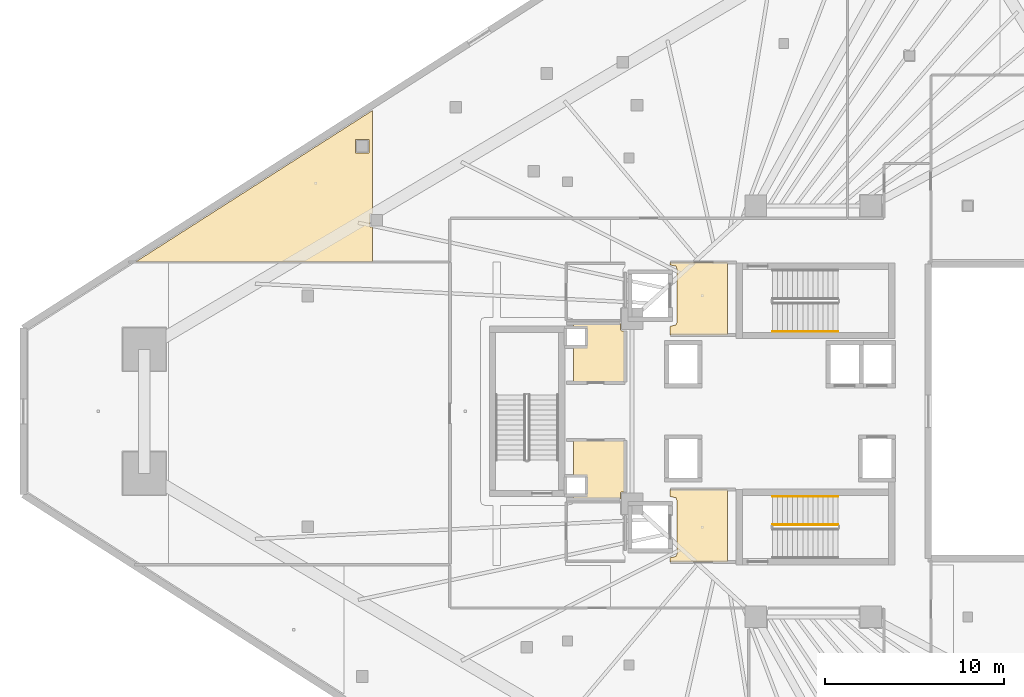
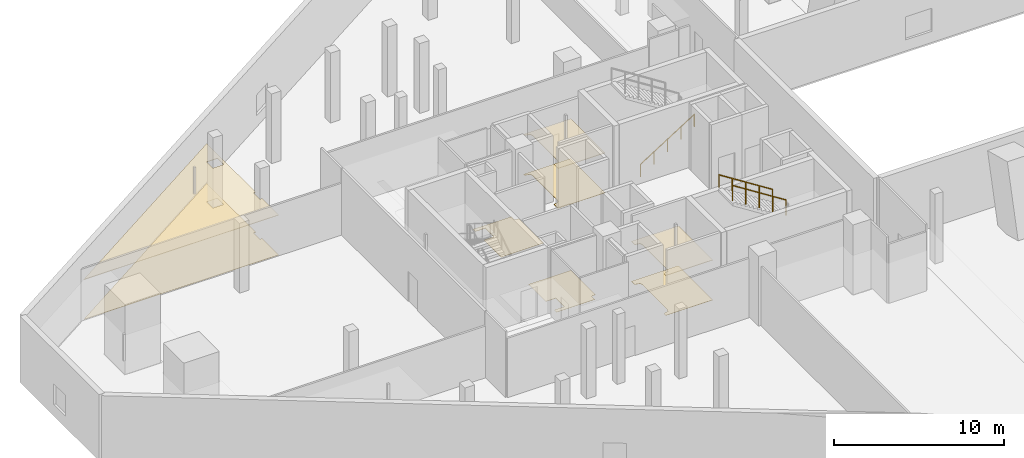
# One storey, part 43 of 47: 8 coverings, 3 railings.
"""IFC4 building model written with IfcOpenShell, lengths in metres."""

from ifc_helpers import new_model, si_unit, direction, frame, origin, origin_2d, place, context, subcontext, project, spatial, polyline, circle, outline, extrude, material, layer, layer_set, type_object, element, save


model = new_model("IFC4")

# Units and contexts
model_context = context("Model", 3, precision=1e-05, world=origin(), true_north=direction((0.0, 1.0)))
body_context = subcontext(model_context, "Body", "Model", "MODEL_VIEW")
ifc_project = project(units=[si_unit("LENGTHUNIT", "METRE"), si_unit("AREAUNIT", "SQUARE_METRE"), si_unit("VOLUMEUNIT", "CUBIC_METRE"), si_unit("PLANEANGLEUNIT", "RADIAN"), si_unit("MASSUNIT", "GRAM", prefix="KILO")], contexts=[model_context])

# Site, building, storey
site_placement = place(None, origin())
site = spatial("IfcSite", under=ifc_project, at=site_placement, CompositionType="ELEMENT")
building_placement = place(site_placement, origin())
building = spatial("IfcBuilding", under=site, at=building_placement, Name="Qorvath Tower", CompositionType="ELEMENT")
storey_placement = place(building_placement, frame((0.0, 0.0, 12.0)))
storey = spatial("IfcBuildingStorey", under=building, at=storey_placement, Name="L02", CompositionType="ELEMENT", Elevation=12.0)

# Coverings
ifc_material_1 = material(Name="Acoustic mineral fibre ceiling tile", Category="gypsum")
ifc_layer_1 = layer(ifc_material_1, 0.030029296875)
ifc_layer_set_1 = layer_set([ifc_layer_1], Name="COV-CEIL")
covering_type_1 = type_object("IfcCoveringType", Name="COV-CEIL", PredefinedType="CEILING", material=ifc_layer_set_1)
covering_1_placement = place(storey_placement, frame((0.0, 0.0, 2.85009765625)))
element("IfcCovering", 1, at=covering_1_placement, inside=storey, type_object=covering_type_1, Name="L02 Suspended Acoustic Ceiling 001", PredefinedType="CEILING", context=body_context, shape_type="SweptSolid", body=[
    extrude(outline(polyline([(-25.18994140625, 4.2548828125), (-25.18994140625, 8.294921875), (-28.375, 8.294921875), (-28.375, 8.159912109375), (-28.063232421875, 8.086669921875), (-27.989990234375, 7.909912109375), (-27.989990234375, 4.989990234375), (-28.063232421875, 4.813232421875), (-28.375, 4.739990234375), (-28.375, 4.2548828125), (-25.18994140625, 4.2548828125)])), origin(), (0.0, 0.0, 1.0), 0.030029296875),
])
covering_2_placement = place(storey_placement, frame((0.0, 0.0, 2.85009765625)))
element("IfcCovering", 2, at=covering_2_placement, inside=storey, type_object=covering_type_1, Name="L02 Suspended Acoustic Ceiling 002", PredefinedType="CEILING", context=body_context, shape_type="SweptSolid", body=[
    extrude(outline(polyline([(-25.18994140625, -8.39501953125), (-25.18994140625, -4.35498046875), (-28.375, -4.35498046875), (-28.375, -4.739990234375), (-28.063232421875, -4.813232421875), (-27.989990234375, -4.989990234375), (-27.989990234375, -7.909912109375), (-28.063232421875, -8.086669921875), (-28.375, -8.159912109375), (-28.375, -8.39501953125), (-25.18994140625, -8.39501953125)])), origin(), (0.0, 0.0, 1.0), 0.030029296875),
])
covering_3_placement = place(storey_placement, frame((0.0, 0.0, 2.85009765625)))
element("IfcCovering", 3, at=covering_3_placement, inside=storey, type_object=covering_type_1, Name="L02 Suspended Acoustic Ceiling 010", PredefinedType="CEILING", context=body_context, shape_type="SweptSolid", body=[
    extrude(outline(polyline([(-44.954345703125, 8.324951171875), (-44.954345703125, 10.284912109375), (-45.103759765625, 10.284912109375), (-45.103759765625, 11.019775390625), (-44.954345703125, 11.019775390625), (-44.954345703125, 16.774658203125), (-58.175048828125, 8.324951171875), (-44.954345703125, 8.324951171875)]), holes=[polyline([(-45.90380859375, 15.14208984375), (-45.1689453125, 15.14208984375), (-45.1689453125, 14.4072265625), (-45.90380859375, 14.4072265625), (-45.90380859375, 15.14208984375)])]), origin(), (0.0, 0.0, 1.0), 0.030029296875),
])
ifc_material_2 = material(Name="Low-VOC modular carpet tile", Category="textile")
ifc_layer_2 = layer(ifc_material_2, 0.014892578125)
ifc_layer_set_2 = layer_set([ifc_layer_2], Name="COV-FLOOR-CPT")
covering_type_2 = type_object("IfcCoveringType", Name="COV-FLOOR-CPT", PredefinedType="FLOORING", material=ifc_layer_set_2)
covering_4_placement = place(storey_placement, origin())
element("IfcCovering", 4, at=covering_4_placement, inside=storey, type_object=covering_type_2, Name="L02 Floor Finish 004", PredefinedType="FLOORING", context=body_context, shape_type="SweptSolid", body=[
    extrude(outline(polyline([(-31.159912109375, 4.89501953125), (-33.760009765625, 4.89501953125), (-33.760009765625, 4.633056640625), (-33.08837890625, 4.631591796875), (-33.0869140625, 3.64208984375), (-33.760009765625, 3.636962890625), (-33.760009765625, 1.60498046875), (-30.885009765625, 1.60498046875), (-30.885009765625, 4.489990234375), (-31.10009765625, 4.489990234375), (-31.159912109375, 4.550048828125), (-31.159912109375, 4.89501953125)])), origin(), (0.0, 0.0, 1.0), 0.014892578125),
])
covering_5_placement = place(storey_placement, origin())
element("IfcCovering", 5, at=covering_5_placement, inside=storey, type_object=covering_type_2, Name="L02 Floor Finish 006", PredefinedType="FLOORING", context=body_context, shape_type="SweptSolid", body=[
    extrude(outline(polyline([(-30.885009765625, -4.489990234375), (-30.885009765625, -1.60498046875), (-33.760009765625, -1.60498046875), (-33.760009765625, -3.636962890625), (-33.08837890625, -3.638427734375), (-33.0869140625, -4.6279296875), (-33.760009765625, -4.633056640625), (-33.760009765625, -4.89501953125), (-31.159912109375, -4.89501953125), (-31.159912109375, -4.550048828125), (-31.10009765625, -4.489990234375), (-30.885009765625, -4.489990234375)])), origin(), (0.0, 0.0, 1.0), 0.014892578125),
])
covering_6_placement = place(storey_placement, origin())
element("IfcCovering", 6, at=covering_6_placement, inside=storey, type_object=covering_type_2, Name="L02 Floor Finish 010", PredefinedType="FLOORING", context=body_context, shape_type="SweptSolid", body=[
    extrude(outline(polyline([(-44.954345703125, 8.324951171875), (-44.954345703125, 10.284912109375), (-45.103759765625, 10.284912109375), (-45.103759765625, 11.019775390625), (-44.954345703125, 11.019775390625), (-44.954345703125, 16.774658203125), (-58.175048828125, 8.324951171875), (-44.954345703125, 8.324951171875)]), holes=[polyline([(-45.90380859375, 15.14208984375), (-45.1689453125, 15.14208984375), (-45.1689453125, 14.4072265625), (-45.90380859375, 14.4072265625), (-45.90380859375, 15.14208984375)])]), origin(), (0.0, 0.0, 1.0), 0.014892578125),
])
ifc_material_3 = material(Name="Polished epoxy terrazzo flooring", Category="concrete")
ifc_layer_3 = layer(ifc_material_3, 0.02001953125)
ifc_layer_set_3 = layer_set([ifc_layer_3], Name="COV-FLOOR-TRZ")
covering_type_3 = type_object("IfcCoveringType", Name="COV-FLOOR-TRZ", PredefinedType="FLOORING", material=ifc_layer_set_3)
covering_7_placement = place(storey_placement, origin())
element("IfcCovering", 7, at=covering_7_placement, inside=storey, type_object=covering_type_3, Name="L02 Floor Finish 001", PredefinedType="FLOORING", context=body_context, shape_type="SweptSolid", body=[
    extrude(outline(polyline([(-25.18994140625, 4.2548828125), (-25.18994140625, 8.294921875), (-28.375, 8.294921875), (-28.375, 8.159912109375), (-28.063232421875, 8.086669921875), (-27.989990234375, 7.909912109375), (-27.989990234375, 4.989990234375), (-28.063232421875, 4.813232421875), (-28.375, 4.739990234375), (-28.375, 4.2548828125), (-25.18994140625, 4.2548828125)])), origin(), (0.0, 0.0, 1.0), 0.014892578125),
])
covering_8_placement = place(storey_placement, origin())
element("IfcCovering", 8, at=covering_8_placement, inside=storey, type_object=covering_type_3, Name="L02 Floor Finish 002", PredefinedType="FLOORING", context=body_context, shape_type="SweptSolid", body=[
    extrude(outline(polyline([(-25.18994140625, -8.39501953125), (-25.18994140625, -4.35498046875), (-28.375, -4.35498046875), (-28.375, -4.739990234375), (-28.063232421875, -4.813232421875), (-27.989990234375, -4.989990234375), (-27.989990234375, -7.909912109375), (-28.063232421875, -8.086669921875), (-28.375, -8.159912109375), (-28.375, -8.39501953125), (-25.18994140625, -8.39501953125)])), origin(), (0.0, 0.0, 1.0), 0.014892578125),
])

# Railings
ifc_material_4 = material(Name="Painted galvanised steel", Category="steel")
railing_type_1 = type_object("IfcRailingType", Name="RL-STR-GRD", PredefinedType="GUARDRAIL", material=ifc_material_4)
railing_1_placement = place(storey_placement, frame((-19.030029296875, -6.320068359375, 2.678466796875)))
element("IfcRailing", 9, at=railing_1_placement, inside=storey, type_object=railing_type_1, Name="L02 TS2 stair guard 3", PredefinedType="GUARDRAIL", context=body_context, shape_type="SweptSolid", body=[
    extrude(circle(Radius=0.02392578125, at=origin_2d()), frame((0.0, 0.0, 1.076171875), z_axis=(-0.843111507901, 0.0, 0.53773877045), x_axis=(0.0, -1.0, 0.0)), (0.0, 0.0, 1.0), 4.317138671875),
    extrude(circle(Radius=0.02099609375, at=origin_2d()), origin(), (0.0, 0.0, 1.0), 1.052001953125),
    extrude(circle(Radius=0.02099609375, at=origin_2d()), frame((-0.909912109375, 0.0, 0.580322265625)), (0.0, 0.0, 1.0), 1.052001953125),
    extrude(circle(Radius=0.02099609375, at=origin_2d()), frame((-1.81982421875, 0.0, 1.16064453125)), (0.0, 0.0, 1.0), 1.052001953125),
    extrude(circle(Radius=0.02099609375, at=origin_2d()), frame((-2.72998046875, 0.0, 1.7412109375)), (0.0, 0.0, 1.0), 1.052001953125),
    extrude(circle(Radius=0.02099609375, at=origin_2d()), frame((-3.639892578125, 0.0, 2.321533203125)), (0.0, 0.0, 1.0), 1.052001953125),
])
ifc_material_5 = material(Name="Brushed stainless steel AISI 304", Category="steel")
railing_type_2 = type_object("IfcRailingType", Name="RL-STR-HND", PredefinedType="HANDRAIL", material=ifc_material_5)
railing_2_placement = place(storey_placement, frame((-22.669921875, 4.449951171875, 0.178466796875)))
element("IfcRailing", 10, at=railing_2_placement, inside=storey, type_object=railing_type_2, Name="L02 TS1 stair handrail 1", PredefinedType="HANDRAIL", context=body_context, shape_type="SweptSolid", body=[
    extrude(circle(Radius=0.02392578125, at=origin_2d()), frame((0.0, 0.0, 0.8759765625), z_axis=(0.843111507901, 0.0, 0.53773877045), x_axis=(0.0, 1.0, 0.0)), (0.0, 0.0, 1.0), 4.317138671875),
    extrude(circle(Radius=0.02099609375, at=origin_2d()), origin(), (0.0, 0.0, 1.0), 0.851806640625),
    extrude(circle(Radius=0.02099609375, at=origin_2d()), frame((0.909912109375, 0.0, 0.580322265625)), (0.0, 0.0, 1.0), 0.851806640625),
    extrude(circle(Radius=0.02099609375, at=origin_2d()), frame((1.81982421875, 0.0, 1.16064453125)), (0.0, 0.0, 1.0), 0.851806640625),
    extrude(circle(Radius=0.02099609375, at=origin_2d()), frame((2.72998046875, 0.0, 1.7412109375)), (0.0, 0.0, 1.0), 0.851806640625),
    extrude(circle(Radius=0.02099609375, at=origin_2d()), frame((3.639892578125, 0.0, 2.321533203125)), (0.0, 0.0, 1.0), 0.851806640625),
])
railing_3_placement = place(storey_placement, frame((-19.030029296875, -4.739990234375, 2.678466796875)))
element("IfcRailing", 11, at=railing_3_placement, inside=storey, type_object=railing_type_2, Name="L02 TS2 stair handrail 2", PredefinedType="HANDRAIL", context=body_context, shape_type="SweptSolid", body=[
    extrude(circle(Radius=0.02392578125, at=origin_2d()), frame((0.0, 0.0, 0.8759765625), z_axis=(-0.843111507901, 0.0, 0.53773877045), x_axis=(0.0, -1.0, 0.0)), (0.0, 0.0, 1.0), 4.317138671875),
    extrude(circle(Radius=0.02099609375, at=origin_2d()), origin(), (0.0, 0.0, 1.0), 0.851806640625),
    extrude(circle(Radius=0.02099609375, at=origin_2d()), frame((-0.909912109375, 0.0, 0.580322265625)), (0.0, 0.0, 1.0), 0.851806640625),
    extrude(circle(Radius=0.02099609375, at=origin_2d()), frame((-1.81982421875, 0.0, 1.16064453125)), (0.0, 0.0, 1.0), 0.851806640625),
    extrude(circle(Radius=0.02099609375, at=origin_2d()), frame((-2.72998046875, 0.0, 1.7412109375)), (0.0, 0.0, 1.0), 0.851806640625),
    extrude(circle(Radius=0.02099609375, at=origin_2d()), frame((-3.639892578125, 0.0, 2.321533203125)), (0.0, 0.0, 1.0), 0.851806640625),
])

save(model, "model.ifc")
